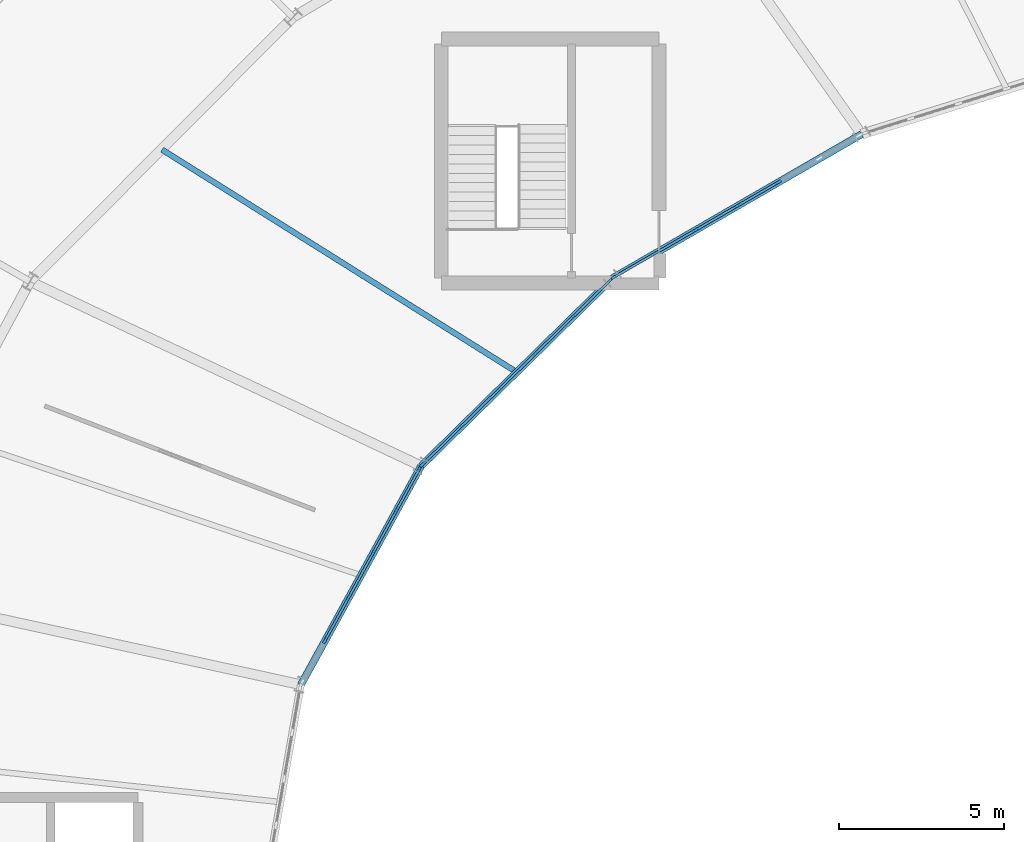
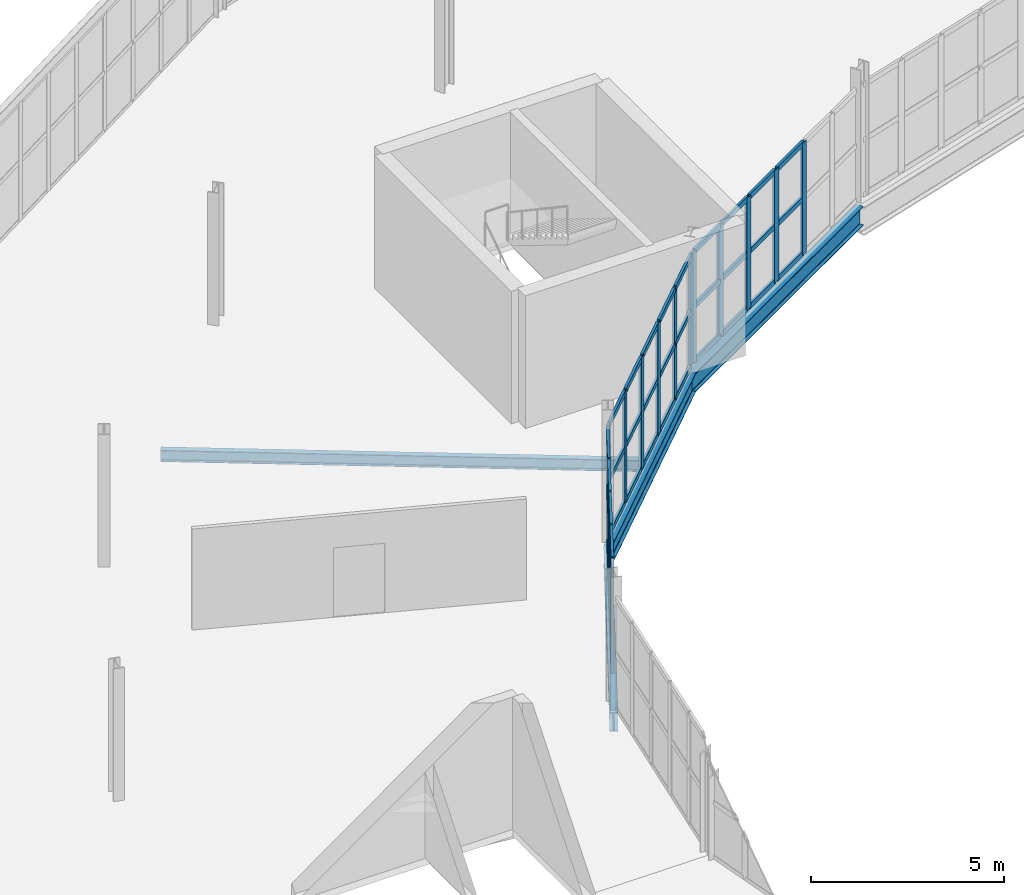
# One storey, part 65 of 161: 55 members, 4 beams, 3 elements without a shape of their own.
"""IFC4 building model written with IfcOpenShell, lengths in metres."""

from ifc_helpers import new_model, si_unit, direction, frame, origin, origin_2d, place, context, subcontext, project, spatial, rectangle, i_section, extrude, material, material_profile, profile_set, type_object, element, aggregate, save


model = new_model("IFC4")

# Units and contexts
model_context = context("Model", 3, precision=1e-05, world=origin(), true_north=direction((0.0, 1.0)))
body_context = subcontext(model_context, "Body", "Model", "MODEL_VIEW")
ifc_project = project(units=[si_unit("LENGTHUNIT", "METRE"), si_unit("AREAUNIT", "SQUARE_METRE"), si_unit("VOLUMEUNIT", "CUBIC_METRE"), si_unit("PLANEANGLEUNIT", "RADIAN"), si_unit("MASSUNIT", "GRAM", prefix="KILO")], contexts=[model_context])

# Site, building, storey
site_placement = place(None, origin())
site = spatial("IfcSite", under=ifc_project, at=site_placement, CompositionType="ELEMENT")
building_placement = place(site_placement, origin())
building = spatial("IfcBuilding", under=site, at=building_placement, Name="Kildeholm Park Wholesale Market", CompositionType="ELEMENT")
storey_placement = place(building_placement, frame((0.0, 0.0, 5.39990234375)))
storey = spatial("IfcBuildingStorey", under=building, at=storey_placement, Name="L01", CompositionType="ELEMENT", Elevation=5.39990234375)

# Beams
ifc_material_1 = material(Name="Steel S355", Category="steel")
ifc_material_profile_1 = material_profile(ifc_material_1, i_section(OverallWidth=0.219970703125, OverallDepth=0.60009765625, WebThickness=0.011962890625, FlangeThickness=0.01904296875, FilletRadius=0.02392578125, at=origin_2d()), Name="IPE 600")
ifc_profile_set_1 = profile_set([ifc_material_profile_1], Name="Steel S355")
beam_type_1 = type_object("IfcBeamType", Name="Beam B-P04 IPE 600", PredefinedType="BEAM", material=ifc_profile_set_1)
beam_1_placement = place(storey_placement, frame((80.75, 113.31591796875, -0.5498046875), z_axis=(-0.865697347457, -0.500567780231, 0.0), x_axis=(0.500567780231, -0.865697347457, 0.0)))
element("IfcBeam", 1, at=beam_1_placement, inside=storey, type_object=beam_type_1, Name="Beam BM-V1-L01-CI-08 BM-0078", PredefinedType="BEAM", context=body_context, shape_type="SweptSolid", body=[
    extrude(i_section(OverallWidth=0.219970703125, OverallDepth=0.60009765625, WebThickness=0.011962890625, FlangeThickness=0.01904296875, FilletRadius=0.02392578125, at=origin_2d()), origin(), (0.0, 0.0, 1.0), 8.731689453125),
])
beam_2_placement = place(storey_placement, frame((73.19091796875, 108.945068359375, -0.5498046875), z_axis=(-0.713593723838, -0.700559774251, 0.0), x_axis=(0.700559774251, -0.713593723838, 0.0)))
element("IfcBeam", 2, at=beam_2_placement, inside=storey, type_object=beam_type_1, Name="Beam BM-V1-L01-CI-09 BM-0084", PredefinedType="BEAM", context=body_context, shape_type="SweptSolid", body=[
    extrude(i_section(OverallWidth=0.219970703125, OverallDepth=0.60009765625, WebThickness=0.011962890625, FlangeThickness=0.01904296875, FilletRadius=0.02392578125, at=origin_2d()), origin(), (0.0, 0.0, 1.0), 8.12939453125),
])
beam_3_placement = place(storey_placement, frame((67.389892578125, 103.25, -0.5498046875), z_axis=(-0.481751565348, -0.876307839338, 0.0), x_axis=(0.876307839338, -0.481751565348, 0.0)))
element("IfcBeam", 3, at=beam_3_placement, inside=storey, type_object=beam_type_1, Name="Beam BM-V1-L01-CI-10 BM-0093", PredefinedType="BEAM", context=body_context, shape_type="SweptSolid", body=[
    extrude(i_section(OverallWidth=0.219970703125, OverallDepth=0.60009765625, WebThickness=0.011962890625, FlangeThickness=0.01904296875, FilletRadius=0.02392578125, at=origin_2d()), origin(), (0.0, 0.0, 1.0), 7.568115234375),
])
ifc_material_profile_2 = material_profile(ifc_material_1, i_section(OverallWidth=0.169921875, OverallDepth=0.360107421875, WebThickness=0.008056640625, FlangeThickness=0.0126953125, FilletRadius=0.01806640625, at=origin_2d()), Name="IPE 360")
ifc_profile_set_2 = profile_set([ifc_material_profile_2], Name="Steel S355")
beam_type_2 = type_object("IfcBeamType", Name="Beam J-04 IPE 360", PredefinedType="JOIST", material=ifc_profile_set_2)
beam_4_placement = place(storey_placement, frame((70.273681640625, 106.108154296875, -0.429931640625), z_axis=(-0.847114536958, 0.531410351116, 0.0), x_axis=(-0.531410351116, -0.847114536958, 0.0)))
element("IfcBeam", 4, at=beam_4_placement, inside=storey, type_object=beam_type_2, Name="Beam JT-V1-L01-09 BM-0089", PredefinedType="JOIST", context=body_context, shape_type="SweptSolid", body=[
    extrude(i_section(OverallWidth=0.169921875, OverallDepth=0.360107421875, WebThickness=0.008056640625, FlangeThickness=0.0126953125, FilletRadius=0.01806640625, at=origin_2d()), origin(), (0.0, 0.0, 1.0), 12.680908203125),
])

# Curtain wall, members
ifc_material_2 = material(Name="Anodised aluminium and low-E double-glazed glass", Category="aluminium")
curtain_wall_type = type_object("IfcCurtainWallType", Name="Market hall glazed arcade stick curtain wall CW-01", PredefinedType="NOTDEFINED", material=ifc_material_2)
curtain_wall_1_placement = place(storey_placement, origin())
curtain_wall_1 = element("IfcCurtainWall", 5, at=curtain_wall_1_placement, inside=storey, type_object=curtain_wall_type, Name="Curtain wall CW-V1-IN1-08 CW-0042", PredefinedType="NOTDEFINED")
ifc_material_3 = material(Name="Anodised aluminium", Category="aluminium")
ifc_material_profile_3 = material_profile(ifc_material_3, rectangle(XDim=0.074951171875, YDim=0.219970703125, at=origin_2d()), Name="CWM 75x220")
ifc_profile_set_3 = profile_set([ifc_material_profile_3], Name="Anodised aluminium")
member_type_1 = type_object("IfcMemberType", Name="Curtain-wall mullion CWM-2 CWM 75x220", PredefinedType="MULLION", material=ifc_profile_set_3)
member_1_placement = place(storey_placement, frame((78.21533203125, 111.855712890625, 0.0), z_axis=(0.0, 0.0, 1.0), x_axis=(0.500489412982, -0.865742656621, 0.0)))
member_1 = element("IfcMember", 6, at=member_1_placement, type_object=member_type_1, Name="CW-01 mullion 3 MEM-1569", PredefinedType="MULLION", context=body_context, shape_type="SweptSolid", body=[
    extrude(rectangle(XDim=0.074951171875, YDim=0.219970703125, at=origin_2d()), origin(), (0.0, 0.0, 1.0), 3.550048828125),
])
member_2_placement = place(storey_placement, frame((76.967041015625, 111.134033203125, 0.0), z_axis=(0.0, 0.0, 1.0), x_axis=(0.500489412982, -0.865742656621, 0.0)))
member_2 = element("IfcMember", 7, at=member_2_placement, type_object=member_type_1, Name="CW-01 mullion 4 MEM-1570", PredefinedType="MULLION", context=body_context, shape_type="SweptSolid", body=[
    extrude(rectangle(XDim=0.074951171875, YDim=0.219970703125, at=origin_2d()), origin(), (0.0, 0.0, 1.0), 3.550048828125),
])
member_3_placement = place(storey_placement, frame((75.71875, 110.412353515625, 0.0), z_axis=(0.0, 0.0, 1.0), x_axis=(0.500489412982, -0.865742656621, 0.0)))
member_3 = element("IfcMember", 8, at=member_3_placement, type_object=member_type_1, Name="CW-01 mullion 5 MEM-1571", PredefinedType="MULLION", context=body_context, shape_type="SweptSolid", body=[
    extrude(rectangle(XDim=0.074951171875, YDim=0.219970703125, at=origin_2d()), origin(), (0.0, 0.0, 1.0), 3.550048828125),
])
member_4_placement = place(storey_placement, frame((74.47021484375, 109.690673828125, 0.0), z_axis=(0.0, 0.0, 1.0), x_axis=(0.500489412982, -0.865742656621, 0.0)))
member_4 = element("IfcMember", 9, at=member_4_placement, type_object=member_type_1, Name="CW-01 mullion 6 MEM-1572", PredefinedType="MULLION", context=body_context, shape_type="SweptSolid", body=[
    extrude(rectangle(XDim=0.074951171875, YDim=0.219970703125, at=origin_2d()), origin(), (0.0, 0.0, 1.0), 3.550048828125),
])
member_5_placement = place(storey_placement, frame((73.25439453125, 108.98779296875, 0.0), z_axis=(0.0, 0.0, 1.0), x_axis=(0.500489412982, -0.865742656621, 0.0)))
member_5 = element("IfcMember", 10, at=member_5_placement, type_object=member_type_1, Name="CW-01 mullion 7 MEM-1573", PredefinedType="MULLION", context=body_context, shape_type="SweptSolid", body=[
    extrude(rectangle(XDim=0.074951171875, YDim=0.219970703125, at=origin_2d()), origin(), (0.0, 0.0, 1.0), 3.550048828125),
])

curtain_wall_2_placement = place(storey_placement, origin())
curtain_wall_2 = element("IfcCurtainWall", 11, at=curtain_wall_2_placement, inside=storey, type_object=curtain_wall_type, Name="Curtain wall CW-V1-IN1-09 CW-0047", PredefinedType="NOTDEFINED")
member_6_placement = place(storey_placement, frame((73.130126953125, 108.893798828125, 0.0), z_axis=(0.0, 0.0, 1.0), x_axis=(0.700616534607, -0.713537995789, 0.0)))
member_6 = element("IfcMember", 12, at=member_6_placement, type_object=member_type_1, Name="CW-01 mullion 1 MEM-1704", PredefinedType="MULLION", context=body_context, shape_type="SweptSolid", body=[
    extrude(rectangle(XDim=0.074951171875, YDim=0.219970703125, at=origin_2d()), origin(), (0.0, 0.0, 1.0), 3.550048828125),
])
member_7_placement = place(storey_placement, frame((72.00830078125, 107.792236328125, 0.0), z_axis=(0.0, 0.0, 1.0), x_axis=(0.700616534607, -0.713537995789, 0.0)))
member_7 = element("IfcMember", 13, at=member_7_placement, type_object=member_type_1, Name="CW-01 mullion 2 MEM-1705", PredefinedType="MULLION", context=body_context, shape_type="SweptSolid", body=[
    extrude(rectangle(XDim=0.074951171875, YDim=0.219970703125, at=origin_2d()), origin(), (0.0, 0.0, 1.0), 3.550048828125),
])
member_8_placement = place(storey_placement, frame((70.85986328125, 106.664306640625, 0.0), z_axis=(0.0, 0.0, 1.0), x_axis=(0.700616534607, -0.713537995789, 0.0)))
member_8 = element("IfcMember", 14, at=member_8_placement, type_object=member_type_1, Name="CW-01 mullion 3 MEM-1706", PredefinedType="MULLION", context=body_context, shape_type="SweptSolid", body=[
    extrude(rectangle(XDim=0.074951171875, YDim=0.219970703125, at=origin_2d()), origin(), (0.0, 0.0, 1.0), 3.550048828125),
])
member_9_placement = place(storey_placement, frame((69.711181640625, 105.53662109375, 0.0), z_axis=(0.0, 0.0, 1.0), x_axis=(0.700616534607, -0.713537995789, 0.0)))
member_9 = element("IfcMember", 15, at=member_9_placement, type_object=member_type_1, Name="CW-01 mullion 4 MEM-1707", PredefinedType="MULLION", context=body_context, shape_type="SweptSolid", body=[
    extrude(rectangle(XDim=0.074951171875, YDim=0.219970703125, at=origin_2d()), origin(), (0.0, 0.0, 1.0), 3.550048828125),
])
member_10_placement = place(storey_placement, frame((68.5625, 104.40869140625, 0.0), z_axis=(0.0, 0.0, 1.0), x_axis=(0.700616534607, -0.713537995789, 0.0)))
member_10 = element("IfcMember", 16, at=member_10_placement, type_object=member_type_1, Name="CW-01 mullion 5 MEM-1708", PredefinedType="MULLION", context=body_context, shape_type="SweptSolid", body=[
    extrude(rectangle(XDim=0.074951171875, YDim=0.219970703125, at=origin_2d()), origin(), (0.0, 0.0, 1.0), 3.550048828125),
])
member_11_placement = place(storey_placement, frame((67.440673828125, 103.307373046875, 0.0), z_axis=(0.0, 0.0, 1.0), x_axis=(0.700616534607, -0.713537995789, 0.0)))
member_11 = element("IfcMember", 17, at=member_11_placement, type_object=member_type_1, Name="CW-01 mullion 6 MEM-1709", PredefinedType="MULLION", context=body_context, shape_type="SweptSolid", body=[
    extrude(rectangle(XDim=0.074951171875, YDim=0.219970703125, at=origin_2d()), origin(), (0.0, 0.0, 1.0), 3.550048828125),
])

curtain_wall_3_placement = place(storey_placement, origin())
curtain_wall_3 = element("IfcCurtainWall", 18, at=curtain_wall_3_placement, inside=storey, type_object=curtain_wall_type, Name="Curtain wall CW-V1-IN1-10 CW-0052", PredefinedType="NOTDEFINED")
member_12_placement = place(storey_placement, frame((67.346923828125, 103.18408203125, 0.0), z_axis=(0.0, 0.0, 1.0), x_axis=(0.876308922506, -0.481749595055, 0.0)))
member_12 = element("IfcMember", 19, at=member_12_placement, type_object=member_type_1, Name="CW-01 mullion 1 MEM-1829", PredefinedType="MULLION", context=body_context, shape_type="SweptSolid", body=[
    extrude(rectangle(XDim=0.074951171875, YDim=0.219970703125, at=origin_2d()), origin(), (0.0, 0.0, 1.0), 3.550048828125),
])
member_13_placement = place(storey_placement, frame((66.643310546875, 101.904296875, 0.0), z_axis=(0.0, 0.0, 1.0), x_axis=(0.876308922506, -0.481749595055, 0.0)))
member_13 = element("IfcMember", 20, at=member_13_placement, type_object=member_type_1, Name="CW-01 mullion 2 MEM-1830", PredefinedType="MULLION", context=body_context, shape_type="SweptSolid", body=[
    extrude(rectangle(XDim=0.074951171875, YDim=0.219970703125, at=origin_2d()), origin(), (0.0, 0.0, 1.0), 3.550048828125),
])
member_14_placement = place(storey_placement, frame((65.921875, 100.591796875, 0.0), z_axis=(0.0, 0.0, 1.0), x_axis=(0.876308922506, -0.481749595055, 0.0)))
member_14 = element("IfcMember", 21, at=member_14_placement, type_object=member_type_1, Name="CW-01 mullion 3 MEM-1831", PredefinedType="MULLION", context=body_context, shape_type="SweptSolid", body=[
    extrude(rectangle(XDim=0.074951171875, YDim=0.219970703125, at=origin_2d()), origin(), (0.0, 0.0, 1.0), 3.550048828125),
])
member_15_placement = place(storey_placement, frame((65.2001953125, 99.279296875, 0.0), z_axis=(0.0, 0.0, 1.0), x_axis=(0.876308922506, -0.481749595055, 0.0)))
member_15 = element("IfcMember", 22, at=member_15_placement, type_object=member_type_1, Name="CW-01 mullion 4 MEM-1832", PredefinedType="MULLION", context=body_context, shape_type="SweptSolid", body=[
    extrude(rectangle(XDim=0.074951171875, YDim=0.219970703125, at=origin_2d()), origin(), (0.0, 0.0, 1.0), 3.550048828125),
])
member_16_placement = place(storey_placement, frame((64.478515625, 97.966552734375, 0.0), z_axis=(0.0, 0.0, 1.0), x_axis=(0.876308922506, -0.481749595055, 0.0)))
member_16 = element("IfcMember", 23, at=member_16_placement, type_object=member_type_1, Name="CW-01 mullion 5 MEM-1833", PredefinedType="MULLION", context=body_context, shape_type="SweptSolid", body=[
    extrude(rectangle(XDim=0.074951171875, YDim=0.219970703125, at=origin_2d()), origin(), (0.0, 0.0, 1.0), 3.550048828125),
])

# Member
ifc_material_profile_4 = material_profile(ifc_material_3, rectangle(XDim=0.074951171875, YDim=0.159912109375, at=origin_2d()), Name="CWT 75x160")
ifc_profile_set_4 = profile_set([ifc_material_profile_4], Name="Anodised aluminium")
member_type_2 = type_object("IfcMemberType", Name="Curtain-wall transom CWT-2 CWT 75x160", PredefinedType="USERDEFINED", material=ifc_profile_set_4)
member_17_placement = place(storey_placement, frame((78.182861328125, 111.8369140625, 0.03759765625), z_axis=(-0.865748132987, -0.500479939887, 0.0), x_axis=(0.500479939887, -0.865748132987, 0.0)))
member_17 = element("IfcMember", 24, at=member_17_placement, type_object=member_type_2, Name="CW-01 transom 3.1 MEM-1580", ObjectType="TRANSOM", PredefinedType="USERDEFINED", context=body_context, shape_type="SweptSolid", body=[
    extrude(rectangle(XDim=0.074951171875, YDim=0.159912109375, at=origin_2d()), origin(), (0.0, 0.0, 1.0), 1.366943359375),
])

member_18_placement = place(storey_placement, frame((78.182861328125, 111.8369140625, 1.775146484375), z_axis=(-0.865748132987, -0.500479939887, 0.0), x_axis=(0.500479939887, -0.865748132987, 0.0)))
member_18 = element("IfcMember", 25, at=member_18_placement, type_object=member_type_2, Name="CW-01 transom 3.2 MEM-1581", ObjectType="TRANSOM", PredefinedType="USERDEFINED", context=body_context, shape_type="SweptSolid", body=[
    extrude(rectangle(XDim=0.074951171875, YDim=0.159912109375, at=origin_2d()), origin(), (0.0, 0.0, 1.0), 1.366943359375),
])

member_19_placement = place(storey_placement, frame((78.182861328125, 111.8369140625, 3.5126953125), z_axis=(-0.865748132987, -0.500479939887, 0.0), x_axis=(0.500479939887, -0.865748132987, 0.0)))
member_19 = element("IfcMember", 26, at=member_19_placement, type_object=member_type_2, Name="CW-01 transom 3.3 MEM-1582", ObjectType="TRANSOM", PredefinedType="USERDEFINED", context=body_context, shape_type="SweptSolid", body=[
    extrude(rectangle(XDim=0.074951171875, YDim=0.159912109375, at=origin_2d()), origin(), (0.0, 0.0, 1.0), 1.366943359375),
])

member_20_placement = place(storey_placement, frame((76.9345703125, 111.115234375, 0.03759765625), z_axis=(-0.865748132987, -0.500479939887, 0.0), x_axis=(0.500479939887, -0.865748132987, 0.0)))
member_20 = element("IfcMember", 27, at=member_20_placement, type_object=member_type_2, Name="CW-01 transom 4.1 MEM-1583", ObjectType="TRANSOM", PredefinedType="USERDEFINED", context=body_context, shape_type="SweptSolid", body=[
    extrude(rectangle(XDim=0.074951171875, YDim=0.159912109375, at=origin_2d()), origin(), (0.0, 0.0, 1.0), 1.366943359375),
])

member_21_placement = place(storey_placement, frame((76.9345703125, 111.115234375, 1.775146484375), z_axis=(-0.865748132987, -0.500479939887, 0.0), x_axis=(0.500479939887, -0.865748132987, 0.0)))
member_21 = element("IfcMember", 28, at=member_21_placement, type_object=member_type_2, Name="CW-01 transom 4.2 MEM-1584", ObjectType="TRANSOM", PredefinedType="USERDEFINED", context=body_context, shape_type="SweptSolid", body=[
    extrude(rectangle(XDim=0.074951171875, YDim=0.159912109375, at=origin_2d()), origin(), (0.0, 0.0, 1.0), 1.366943359375),
])

member_22_placement = place(storey_placement, frame((76.9345703125, 111.115234375, 3.5126953125), z_axis=(-0.865748132987, -0.500479939887, 0.0), x_axis=(0.500479939887, -0.865748132987, 0.0)))
member_22 = element("IfcMember", 29, at=member_22_placement, type_object=member_type_2, Name="CW-01 transom 4.3 MEM-1585", ObjectType="TRANSOM", PredefinedType="USERDEFINED", context=body_context, shape_type="SweptSolid", body=[
    extrude(rectangle(XDim=0.074951171875, YDim=0.159912109375, at=origin_2d()), origin(), (0.0, 0.0, 1.0), 1.366943359375),
])

member_23_placement = place(storey_placement, frame((75.686279296875, 110.3935546875, 0.03759765625), z_axis=(-0.865792862191, -0.500402557727, 0.0), x_axis=(0.500402557727, -0.865792862191, 0.0)))
member_23 = element("IfcMember", 30, at=member_23_placement, type_object=member_type_2, Name="CW-01 transom 5.1 MEM-1586", ObjectType="TRANSOM", PredefinedType="USERDEFINED", context=body_context, shape_type="SweptSolid", body=[
    extrude(rectangle(XDim=0.074951171875, YDim=0.159912109375, at=origin_2d()), origin(), (0.0, 0.0, 1.0), 1.366943359375),
])

member_24_placement = place(storey_placement, frame((75.686279296875, 110.3935546875, 1.775146484375), z_axis=(-0.865792862191, -0.500402557727, 0.0), x_axis=(0.500402557727, -0.865792862191, 0.0)))
member_24 = element("IfcMember", 31, at=member_24_placement, type_object=member_type_2, Name="CW-01 transom 5.2 MEM-1587", ObjectType="TRANSOM", PredefinedType="USERDEFINED", context=body_context, shape_type="SweptSolid", body=[
    extrude(rectangle(XDim=0.074951171875, YDim=0.159912109375, at=origin_2d()), origin(), (0.0, 0.0, 1.0), 1.366943359375),
])

member_25_placement = place(storey_placement, frame((75.686279296875, 110.3935546875, 3.5126953125), z_axis=(-0.865792862191, -0.500402557727, 0.0), x_axis=(0.500402557727, -0.865792862191, 0.0)))
member_25 = element("IfcMember", 32, at=member_25_placement, type_object=member_type_2, Name="CW-01 transom 5.3 MEM-1588", ObjectType="TRANSOM", PredefinedType="USERDEFINED", context=body_context, shape_type="SweptSolid", body=[
    extrude(rectangle(XDim=0.074951171875, YDim=0.159912109375, at=origin_2d()), origin(), (0.0, 0.0, 1.0), 1.366943359375),
])

member_26_placement = place(storey_placement, frame((74.43798828125, 109.671875, 0.03759765625), z_axis=(-0.865803200302, -0.500384670376, 0.0), x_axis=(0.500384670376, -0.865803200302, 0.0)))
member_26 = element("IfcMember", 33, at=member_26_placement, type_object=member_type_2, Name="CW-01 transom 6.1 MEM-1589", ObjectType="TRANSOM", PredefinedType="USERDEFINED", context=body_context, shape_type="SweptSolid", body=[
    extrude(rectangle(XDim=0.074951171875, YDim=0.159912109375, at=origin_2d()), origin(), (0.0, 0.0, 1.0), 1.32958984375),
])

member_27_placement = place(storey_placement, frame((74.43798828125, 109.671875, 1.775146484375), z_axis=(-0.865803200302, -0.500384670376, 0.0), x_axis=(0.500384670376, -0.865803200302, 0.0)))
member_27 = element("IfcMember", 34, at=member_27_placement, type_object=member_type_2, Name="CW-01 transom 6.2 MEM-1590", ObjectType="TRANSOM", PredefinedType="USERDEFINED", context=body_context, shape_type="SweptSolid", body=[
    extrude(rectangle(XDim=0.074951171875, YDim=0.159912109375, at=origin_2d()), origin(), (0.0, 0.0, 1.0), 1.32958984375),
])

member_28_placement = place(storey_placement, frame((74.43798828125, 109.671875, 3.5126953125), z_axis=(-0.865803200302, -0.500384670376, 0.0), x_axis=(0.500384670376, -0.865803200302, 0.0)))
member_28 = element("IfcMember", 35, at=member_28_placement, type_object=member_type_2, Name="CW-01 transom 6.3 MEM-1591", ObjectType="TRANSOM", PredefinedType="USERDEFINED", context=body_context, shape_type="SweptSolid", body=[
    extrude(rectangle(XDim=0.074951171875, YDim=0.159912109375, at=origin_2d()), origin(), (0.0, 0.0, 1.0), 1.32958984375),
])

aggregate(curtain_wall_1, [member_1, member_2, member_3, member_4, member_5, member_17, member_18, member_19, member_20, member_21, member_22, member_23, member_24, member_25, member_26, member_27, member_28])

member_29_placement = place(storey_placement, frame((73.103515625, 108.867431640625, 0.03759765625), z_axis=(-0.713518025391, -0.700636872739, 0.0), x_axis=(0.700636872739, -0.713518025391, 0.0)))
member_29 = element("IfcMember", 36, at=member_29_placement, type_object=member_type_2, Name="CW-01 transom 1.1 MEM-1710", ObjectType="TRANSOM", PredefinedType="USERDEFINED", context=body_context, shape_type="SweptSolid", body=[
    extrude(rectangle(XDim=0.074951171875, YDim=0.159912109375, at=origin_2d()), origin(), (0.0, 0.0, 1.0), 1.497314453125),
])

member_30_placement = place(storey_placement, frame((73.103515625, 108.867431640625, 1.775146484375), z_axis=(-0.713518025391, -0.700636872739, 0.0), x_axis=(0.700636872739, -0.713518025391, 0.0)))
member_30 = element("IfcMember", 37, at=member_30_placement, type_object=member_type_2, Name="CW-01 transom 1.2 MEM-1711", ObjectType="TRANSOM", PredefinedType="USERDEFINED", context=body_context, shape_type="SweptSolid", body=[
    extrude(rectangle(XDim=0.074951171875, YDim=0.159912109375, at=origin_2d()), origin(), (0.0, 0.0, 1.0), 1.497314453125),
])

member_31_placement = place(storey_placement, frame((73.103515625, 108.867431640625, 3.5126953125), z_axis=(-0.713518025391, -0.700636872739, 0.0), x_axis=(0.700636872739, -0.713518025391, 0.0)))
member_31 = element("IfcMember", 38, at=member_31_placement, type_object=member_type_2, Name="CW-01 transom 1.3 MEM-1712", ObjectType="TRANSOM", PredefinedType="USERDEFINED", context=body_context, shape_type="SweptSolid", body=[
    extrude(rectangle(XDim=0.074951171875, YDim=0.159912109375, at=origin_2d()), origin(), (0.0, 0.0, 1.0), 1.497314453125),
])

member_32_placement = place(storey_placement, frame((71.981689453125, 107.765869140625, 0.03759765625), z_axis=(-0.713598670351, -0.700554735672, 0.0), x_axis=(0.700554735672, -0.713598670351, 0.0)))
member_32 = element("IfcMember", 39, at=member_32_placement, type_object=member_type_2, Name="CW-01 transom 2.1 MEM-1713", ObjectType="TRANSOM", PredefinedType="USERDEFINED", context=body_context, shape_type="SweptSolid", body=[
    extrude(rectangle(XDim=0.074951171875, YDim=0.159912109375, at=origin_2d()), origin(), (0.0, 0.0, 1.0), 1.53466796875),
])

member_33_placement = place(storey_placement, frame((71.981689453125, 107.765869140625, 1.775146484375), z_axis=(-0.713598670351, -0.700554735672, 0.0), x_axis=(0.700554735672, -0.713598670351, 0.0)))
member_33 = element("IfcMember", 40, at=member_33_placement, type_object=member_type_2, Name="CW-01 transom 2.2 MEM-1714", ObjectType="TRANSOM", PredefinedType="USERDEFINED", context=body_context, shape_type="SweptSolid", body=[
    extrude(rectangle(XDim=0.074951171875, YDim=0.159912109375, at=origin_2d()), origin(), (0.0, 0.0, 1.0), 1.53466796875),
])

member_34_placement = place(storey_placement, frame((71.981689453125, 107.765869140625, 3.5126953125), z_axis=(-0.713598670351, -0.700554735672, 0.0), x_axis=(0.700554735672, -0.713598670351, 0.0)))
member_34 = element("IfcMember", 41, at=member_34_placement, type_object=member_type_2, Name="CW-01 transom 2.3 MEM-1715", ObjectType="TRANSOM", PredefinedType="USERDEFINED", context=body_context, shape_type="SweptSolid", body=[
    extrude(rectangle(XDim=0.074951171875, YDim=0.159912109375, at=origin_2d()), origin(), (0.0, 0.0, 1.0), 1.53466796875),
])

member_35_placement = place(storey_placement, frame((70.8330078125, 106.63818359375, 0.03759765625), z_axis=(-0.713520588004, -0.700634263003, 0.0), x_axis=(0.700634263003, -0.713520588004, 0.0)))
member_35 = element("IfcMember", 42, at=member_35_placement, type_object=member_type_2, Name="CW-01 transom 3.1 MEM-1716", ObjectType="TRANSOM", PredefinedType="USERDEFINED", context=body_context, shape_type="SweptSolid", body=[
    extrude(rectangle(XDim=0.074951171875, YDim=0.159912109375, at=origin_2d()), origin(), (0.0, 0.0, 1.0), 1.53466796875),
])

member_36_placement = place(storey_placement, frame((70.8330078125, 106.63818359375, 1.775146484375), z_axis=(-0.713520588004, -0.700634263003, 0.0), x_axis=(0.700634263003, -0.713520588004, 0.0)))
member_36 = element("IfcMember", 43, at=member_36_placement, type_object=member_type_2, Name="CW-01 transom 3.2 MEM-1717", ObjectType="TRANSOM", PredefinedType="USERDEFINED", context=body_context, shape_type="SweptSolid", body=[
    extrude(rectangle(XDim=0.074951171875, YDim=0.159912109375, at=origin_2d()), origin(), (0.0, 0.0, 1.0), 1.53466796875),
])

member_37_placement = place(storey_placement, frame((70.8330078125, 106.63818359375, 3.5126953125), z_axis=(-0.713520588004, -0.700634263003, 0.0), x_axis=(0.700634263003, -0.713520588004, 0.0)))
member_37 = element("IfcMember", 44, at=member_37_placement, type_object=member_type_2, Name="CW-01 transom 3.3 MEM-1718", ObjectType="TRANSOM", PredefinedType="USERDEFINED", context=body_context, shape_type="SweptSolid", body=[
    extrude(rectangle(XDim=0.074951171875, YDim=0.159912109375, at=origin_2d()), origin(), (0.0, 0.0, 1.0), 1.53466796875),
])

member_38_placement = place(storey_placement, frame((69.684326171875, 105.51025390625, 0.03759765625), z_axis=(-0.713520588004, -0.700634263003, 0.0), x_axis=(0.700634263003, -0.713520588004, 0.0)))
member_38 = element("IfcMember", 45, at=member_38_placement, type_object=member_type_2, Name="CW-01 transom 4.1 MEM-1719", ObjectType="TRANSOM", PredefinedType="USERDEFINED", context=body_context, shape_type="SweptSolid", body=[
    extrude(rectangle(XDim=0.074951171875, YDim=0.159912109375, at=origin_2d()), origin(), (0.0, 0.0, 1.0), 1.53466796875),
])

member_39_placement = place(storey_placement, frame((69.684326171875, 105.51025390625, 1.775146484375), z_axis=(-0.713520588004, -0.700634263003, 0.0), x_axis=(0.700634263003, -0.713520588004, 0.0)))
member_39 = element("IfcMember", 46, at=member_39_placement, type_object=member_type_2, Name="CW-01 transom 4.2 MEM-1720", ObjectType="TRANSOM", PredefinedType="USERDEFINED", context=body_context, shape_type="SweptSolid", body=[
    extrude(rectangle(XDim=0.074951171875, YDim=0.159912109375, at=origin_2d()), origin(), (0.0, 0.0, 1.0), 1.53466796875),
])

member_40_placement = place(storey_placement, frame((69.684326171875, 105.51025390625, 3.5126953125), z_axis=(-0.713520588004, -0.700634263003, 0.0), x_axis=(0.700634263003, -0.713520588004, 0.0)))
member_40 = element("IfcMember", 47, at=member_40_placement, type_object=member_type_2, Name="CW-01 transom 4.3 MEM-1721", ObjectType="TRANSOM", PredefinedType="USERDEFINED", context=body_context, shape_type="SweptSolid", body=[
    extrude(rectangle(XDim=0.074951171875, YDim=0.159912109375, at=origin_2d()), origin(), (0.0, 0.0, 1.0), 1.53466796875),
])

member_41_placement = place(storey_placement, frame((68.535888671875, 104.382568359375, 0.03759765625), z_axis=(-0.713518025391, -0.700636872739, 0.0), x_axis=(0.700636872739, -0.713518025391, 0.0)))
member_41 = element("IfcMember", 48, at=member_41_placement, type_object=member_type_2, Name="CW-01 transom 5.1 MEM-1722", ObjectType="TRANSOM", PredefinedType="USERDEFINED", context=body_context, shape_type="SweptSolid", body=[
    extrude(rectangle(XDim=0.074951171875, YDim=0.159912109375, at=origin_2d()), origin(), (0.0, 0.0, 1.0), 1.497314453125),
])

member_42_placement = place(storey_placement, frame((68.535888671875, 104.382568359375, 1.775146484375), z_axis=(-0.713518025391, -0.700636872739, 0.0), x_axis=(0.700636872739, -0.713518025391, 0.0)))
member_42 = element("IfcMember", 49, at=member_42_placement, type_object=member_type_2, Name="CW-01 transom 5.2 MEM-1723", ObjectType="TRANSOM", PredefinedType="USERDEFINED", context=body_context, shape_type="SweptSolid", body=[
    extrude(rectangle(XDim=0.074951171875, YDim=0.159912109375, at=origin_2d()), origin(), (0.0, 0.0, 1.0), 1.497314453125),
])

member_43_placement = place(storey_placement, frame((68.535888671875, 104.382568359375, 3.5126953125), z_axis=(-0.713518025391, -0.700636872739, 0.0), x_axis=(0.700636872739, -0.713518025391, 0.0)))
member_43 = element("IfcMember", 50, at=member_43_placement, type_object=member_type_2, Name="CW-01 transom 5.3 MEM-1724", ObjectType="TRANSOM", PredefinedType="USERDEFINED", context=body_context, shape_type="SweptSolid", body=[
    extrude(rectangle(XDim=0.074951171875, YDim=0.159912109375, at=origin_2d()), origin(), (0.0, 0.0, 1.0), 1.497314453125),
])

aggregate(curtain_wall_2, [member_6, member_7, member_8, member_9, member_10, member_11, member_29, member_30, member_31, member_32, member_33, member_34, member_35, member_36, member_37, member_38, member_39, member_40, member_41, member_42, member_43])

member_44_placement = place(storey_placement, frame((67.328857421875, 103.1513671875, 0.03759765625), z_axis=(-0.481763161667, -0.876301464144, 0.0), x_axis=(0.876301464144, -0.481763161667, 0.0)))
member_44 = element("IfcMember", 51, at=member_44_placement, type_object=member_type_2, Name="CW-01 transom 1.1 MEM-1835", ObjectType="TRANSOM", PredefinedType="USERDEFINED", context=body_context, shape_type="SweptSolid", body=[
    extrude(rectangle(XDim=0.074951171875, YDim=0.159912109375, at=origin_2d()), origin(), (0.0, 0.0, 1.0), 1.385498046875),
])

member_45_placement = place(storey_placement, frame((67.328857421875, 103.1513671875, 1.775146484375), z_axis=(-0.481763161667, -0.876301464144, 0.0), x_axis=(0.876301464144, -0.481763161667, 0.0)))
member_45 = element("IfcMember", 52, at=member_45_placement, type_object=member_type_2, Name="CW-01 transom 1.2 MEM-1836", ObjectType="TRANSOM", PredefinedType="USERDEFINED", context=body_context, shape_type="SweptSolid", body=[
    extrude(rectangle(XDim=0.074951171875, YDim=0.159912109375, at=origin_2d()), origin(), (0.0, 0.0, 1.0), 1.385498046875),
])

member_46_placement = place(storey_placement, frame((67.328857421875, 103.1513671875, 3.5126953125), z_axis=(-0.481763161667, -0.876301464144, 0.0), x_axis=(0.876301464144, -0.481763161667, 0.0)))
member_46 = element("IfcMember", 53, at=member_46_placement, type_object=member_type_2, Name="CW-01 transom 1.3 MEM-1837", ObjectType="TRANSOM", PredefinedType="USERDEFINED", context=body_context, shape_type="SweptSolid", body=[
    extrude(rectangle(XDim=0.074951171875, YDim=0.159912109375, at=origin_2d()), origin(), (0.0, 0.0, 1.0), 1.385498046875),
])

member_47_placement = place(storey_placement, frame((66.625244140625, 101.87158203125, 0.03759765625), z_axis=(-0.481675002978, -0.876349925262, 0.0), x_axis=(0.876349925262, -0.481675002978, 0.0)))
member_47 = element("IfcMember", 54, at=member_47_placement, type_object=member_type_2, Name="CW-01 transom 2.1 MEM-1838", ObjectType="TRANSOM", PredefinedType="USERDEFINED", context=body_context, shape_type="SweptSolid", body=[
    extrude(rectangle(XDim=0.074951171875, YDim=0.159912109375, at=origin_2d()), origin(), (0.0, 0.0, 1.0), 1.4228515625),
])

member_48_placement = place(storey_placement, frame((66.625244140625, 101.87158203125, 1.775146484375), z_axis=(-0.481675002978, -0.876349925262, 0.0), x_axis=(0.876349925262, -0.481675002978, 0.0)))
member_48 = element("IfcMember", 55, at=member_48_placement, type_object=member_type_2, Name="CW-01 transom 2.2 MEM-1839", ObjectType="TRANSOM", PredefinedType="USERDEFINED", context=body_context, shape_type="SweptSolid", body=[
    extrude(rectangle(XDim=0.074951171875, YDim=0.159912109375, at=origin_2d()), origin(), (0.0, 0.0, 1.0), 1.4228515625),
])

member_49_placement = place(storey_placement, frame((66.625244140625, 101.87158203125, 3.5126953125), z_axis=(-0.481675002978, -0.876349925262, 0.0), x_axis=(0.876349925262, -0.481675002978, 0.0)))
member_49 = element("IfcMember", 56, at=member_49_placement, type_object=member_type_2, Name="CW-01 transom 2.3 MEM-1840", ObjectType="TRANSOM", PredefinedType="USERDEFINED", context=body_context, shape_type="SweptSolid", body=[
    extrude(rectangle(XDim=0.074951171875, YDim=0.159912109375, at=origin_2d()), origin(), (0.0, 0.0, 1.0), 1.4228515625),
])

member_50_placement = place(storey_placement, frame((65.90380859375, 100.558837890625, 0.03759765625), z_axis=(-0.481806771889, -0.876277487193, 0.0), x_axis=(0.876277487193, -0.481806771889, 0.0)))
member_50 = element("IfcMember", 57, at=member_50_placement, type_object=member_type_2, Name="CW-01 transom 3.1 MEM-1841", ObjectType="TRANSOM", PredefinedType="USERDEFINED", context=body_context, shape_type="SweptSolid", body=[
    extrude(rectangle(XDim=0.074951171875, YDim=0.159912109375, at=origin_2d()), origin(), (0.0, 0.0, 1.0), 1.4228515625),
])

member_51_placement = place(storey_placement, frame((65.90380859375, 100.558837890625, 1.775146484375), z_axis=(-0.481806771889, -0.876277487193, 0.0), x_axis=(0.876277487193, -0.481806771889, 0.0)))
member_51 = element("IfcMember", 58, at=member_51_placement, type_object=member_type_2, Name="CW-01 transom 3.2 MEM-1842", ObjectType="TRANSOM", PredefinedType="USERDEFINED", context=body_context, shape_type="SweptSolid", body=[
    extrude(rectangle(XDim=0.074951171875, YDim=0.159912109375, at=origin_2d()), origin(), (0.0, 0.0, 1.0), 1.4228515625),
])

member_52_placement = place(storey_placement, frame((65.90380859375, 100.558837890625, 3.5126953125), z_axis=(-0.481806771889, -0.876277487193, 0.0), x_axis=(0.876277487193, -0.481806771889, 0.0)))
member_52 = element("IfcMember", 59, at=member_52_placement, type_object=member_type_2, Name="CW-01 transom 3.3 MEM-1843", ObjectType="TRANSOM", PredefinedType="USERDEFINED", context=body_context, shape_type="SweptSolid", body=[
    extrude(rectangle(XDim=0.074951171875, YDim=0.159912109375, at=origin_2d()), origin(), (0.0, 0.0, 1.0), 1.4228515625),
])

member_53_placement = place(storey_placement, frame((65.18212890625, 99.246337890625, 0.03759765625), z_axis=(-0.481806771889, -0.876277487193, 0.0), x_axis=(0.876277487193, -0.481806771889, 0.0)))
member_53 = element("IfcMember", 60, at=member_53_placement, type_object=member_type_2, Name="CW-01 transom 4.1 MEM-1844", ObjectType="TRANSOM", PredefinedType="USERDEFINED", context=body_context, shape_type="SweptSolid", body=[
    extrude(rectangle(XDim=0.074951171875, YDim=0.159912109375, at=origin_2d()), origin(), (0.0, 0.0, 1.0), 1.4228515625),
])

member_54_placement = place(storey_placement, frame((65.18212890625, 99.246337890625, 1.775146484375), z_axis=(-0.481806771889, -0.876277487193, 0.0), x_axis=(0.876277487193, -0.481806771889, 0.0)))
member_54 = element("IfcMember", 61, at=member_54_placement, type_object=member_type_2, Name="CW-01 transom 4.2 MEM-1845", ObjectType="TRANSOM", PredefinedType="USERDEFINED", context=body_context, shape_type="SweptSolid", body=[
    extrude(rectangle(XDim=0.074951171875, YDim=0.159912109375, at=origin_2d()), origin(), (0.0, 0.0, 1.0), 1.4228515625),
])

member_55_placement = place(storey_placement, frame((65.18212890625, 99.246337890625, 3.5126953125), z_axis=(-0.481806771889, -0.876277487193, 0.0), x_axis=(0.876277487193, -0.481806771889, 0.0)))
member_55 = element("IfcMember", 62, at=member_55_placement, type_object=member_type_2, Name="CW-01 transom 4.3 MEM-1846", ObjectType="TRANSOM", PredefinedType="USERDEFINED", context=body_context, shape_type="SweptSolid", body=[
    extrude(rectangle(XDim=0.074951171875, YDim=0.159912109375, at=origin_2d()), origin(), (0.0, 0.0, 1.0), 1.4228515625),
])

aggregate(curtain_wall_3, [member_12, member_13, member_14, member_15, member_16, member_44, member_45, member_46, member_47, member_48, member_49, member_50, member_51, member_52, member_53, member_54, member_55])

save(model, "model.ifc")
